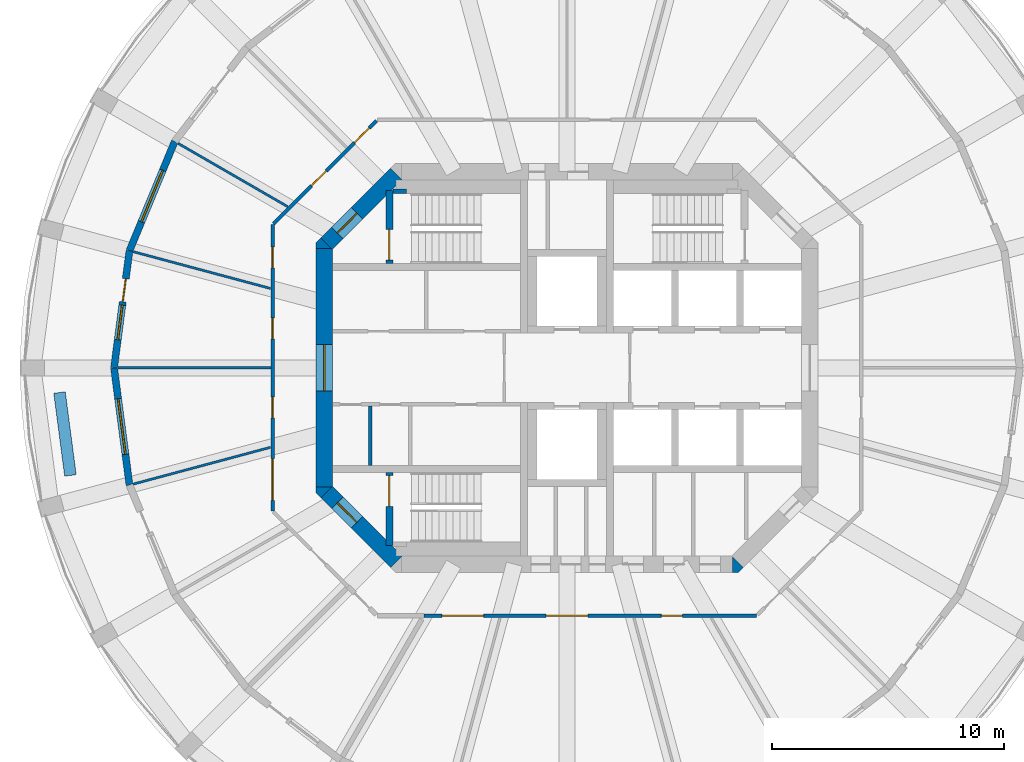
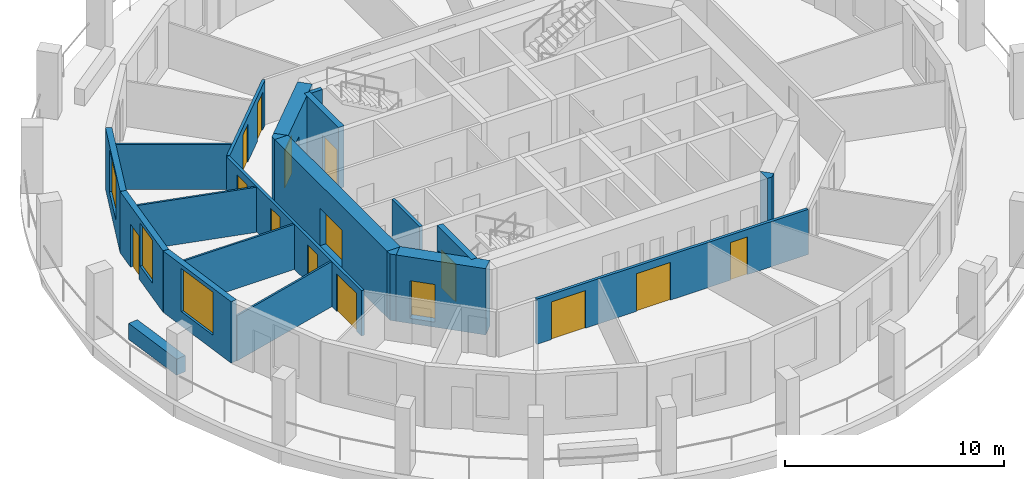
# One storey, part 3 of 9: 21 walls, 15 doors, 3 windows, 18 openings.
"""IFC4 building model written with IfcOpenShell, lengths in metres."""

from ifc_helpers import new_model, si_unit, direction, frame, frame_2d, origin, place, context, subcontext, project, spatial, polyline, rectangle, outline, extrude, material, layer, layer_set, type_object, element, fill, save


model = new_model("IFC4")

# Units and contexts
model_context = context("Model", 3, precision=1e-05, world=origin(), true_north=direction((0.0, 1.0)))
body_context = subcontext(model_context, "Body", "Model", "MODEL_VIEW")
ifc_project = project(units=[si_unit("LENGTHUNIT", "METRE"), si_unit("AREAUNIT", "SQUARE_METRE"), si_unit("VOLUMEUNIT", "CUBIC_METRE"), si_unit("PLANEANGLEUNIT", "RADIAN"), si_unit("MASSUNIT", "GRAM", prefix="KILO")], contexts=[model_context])

# Site, building, storey
site_placement = place(None, origin())
site = spatial("IfcSite", under=ifc_project, at=site_placement, CompositionType="ELEMENT")
building_placement = place(site_placement, origin())
building = spatial("IfcBuilding", under=site, at=building_placement, Name="Torre Triforio", CompositionType="ELEMENT")
storey_placement = place(building_placement, frame((0.0, 0.0, 215.0)))
storey = spatial("IfcBuildingStorey", under=building, at=storey_placement, Name="L49", CompositionType="ELEMENT", Elevation=215.0)

# Wall, opening, door
ifc_material_1 = material(Name="Concrete C50", Category="concrete")
ifc_layer_1 = layer(ifc_material_1, 0.699951171875)
ifc_layer_set_1 = layer_set([ifc_layer_1], Name="Concrete C50")
wall_type_1 = type_object("IfcWallType", Name="Core wall 700 mm C50 EI 120", PredefinedType="SHEAR", material=ifc_layer_set_1)
wall_1_placement = place(storey_placement, frame((-10.449951171875, -5.1298828125, -0.280029296875), z_axis=(0.0, 0.0, 1.0), x_axis=(0.0, 1.0, 0.0)))
wall_1 = element("IfcWall", 1, at=wall_1_placement, inside=storey, type_object=wall_type_1, Name="Core wall", PredefinedType="SHEAR", context=body_context, shape_type="SweptSolid", body=[
    extrude(rectangle(XDim=10.259765625, YDim=0.699951171875, at=frame_2d((5.1298828125, 0.0))), origin(), (0.0, 0.0, 1.0), 3.699951171875),
])
opening_1_placement = place(wall_1_placement, frame((4.1298828125, 0.0, 0.280029296875)))
opening_1 = element("IfcOpeningElement", 2, at=opening_1_placement, cuts=wall_1, Name="Opening W-RING", PredefinedType="OPENING", context=body_context, shape_type="SweptSolid", body=[
    extrude(rectangle(XDim=2.0, YDim=2.10009765625, at=frame_2d((1.0, 1.050048828125))), frame((0.0, 0.35986328125, 0.0), z_axis=(0.0, -1.0, 0.0), x_axis=(1.0, 0.0, 0.0)), (0.0, 0.0, 1.0), 0.719970703125),
])
ifc_material_2 = material(Name="Hollow metal fire door leaf")
door_type_1 = type_object("IfcDoorType", Name="Lobby door 2000 x 2100 EI 60", OperationType="DOUBLE_DOOR_SINGLE_SWING", PredefinedType="DOOR", material=ifc_material_2)
door_1_placement = place(opening_1_placement, origin())
door_1 = element("IfcDoor", 3, at=door_1_placement, inside=storey, type_object=door_type_1, Name="Core door W-RING", OperationType="DOUBLE_DOOR_SINGLE_SWING", OverallHeight=2.10009765625, OverallWidth=2.0, PredefinedType="DOOR", context=body_context, shape_type="SweptSolid", body=[
    extrude(rectangle(XDim=2.0, YDim=2.10009765625, at=frame_2d((1.0, 1.050048828125))), frame((0.0, 0.02490234375, 0.0), z_axis=(0.0, -1.0, 0.0), x_axis=(1.0, 0.0, 0.0)), (0.0, 0.0, 1.0), 0.050048828125),
])
fill(opening_1, door_1)

wall_2_placement = place(storey_placement, frame((-10.347412109375, 5.347412109375, -0.280029296875), z_axis=(0.0, 0.0, 1.0), x_axis=(0.707106781187, 0.707106781187, 0.0)))
wall_2 = element("IfcWall", 4, at=wall_2_placement, inside=storey, type_object=wall_type_1, Name="Core wall", PredefinedType="SHEAR", context=body_context, shape_type="SweptSolid", body=[
    extrude(rectangle(XDim=4.24267578125, YDim=0.699951171875, at=frame_2d((2.121337890625, 0.0))), origin(), (0.0, 0.0, 1.0), 3.699951171875),
])
opening_2_placement = place(wall_2_placement, frame((0.64990234375, 0.0, 0.280029296875)))
opening_2 = element("IfcOpeningElement", 5, at=opening_2_placement, cuts=wall_2, Name="Opening ST1-EXIT", PredefinedType="OPENING", context=body_context, shape_type="SweptSolid", body=[
    extrude(rectangle(XDim=1.199951171875, YDim=2.10009765625, at=frame_2d((0.60009765625, 1.050048828125))), frame((0.0, 0.35986328125, 0.0), z_axis=(0.0, -1.0, 0.0), x_axis=(1.0, 0.0, 0.0)), (0.0, 0.0, 1.0), 0.719970703125),
])
door_type_2 = type_object("IfcDoorType", Name="Stair lobby door 1200 x 2100 EI 60", OperationType="NOTDEFINED", PredefinedType="DOOR", material=ifc_material_2)
door_2_placement = place(opening_2_placement, origin())
door_2 = element("IfcDoor", 6, at=door_2_placement, inside=storey, type_object=door_type_2, Name="Core door ST1-EXIT", OperationType="SINGLE_SWING_RIGHT", OverallHeight=2.10009765625, OverallWidth=1.199951171875, PredefinedType="DOOR", context=body_context, shape_type="SweptSolid", body=[
    extrude(rectangle(XDim=1.199951171875, YDim=2.10009765625, at=frame_2d((0.60009765625, 1.050048828125))), frame((0.0, 0.02490234375, 0.0), z_axis=(0.0, -1.0, 0.0), x_axis=(1.0, 0.0, 0.0)), (0.0, 0.0, 1.0), 0.050048828125),
])
fill(opening_2, door_2)

wall_3_placement = place(storey_placement, frame((-7.347412109375, -8.347412109375, -0.280029296875), z_axis=(0.0, 0.0, 1.0), x_axis=(-0.707106781187, 0.707106781187, 0.0)))
wall_3 = element("IfcWall", 7, at=wall_3_placement, inside=storey, type_object=wall_type_1, Name="Core wall", PredefinedType="SHEAR", context=body_context, shape_type="SweptSolid", body=[
    extrude(rectangle(XDim=4.24267578125, YDim=0.699951171875, at=frame_2d((2.121337890625, 0.0))), origin(), (0.0, 0.0, 1.0), 3.699951171875),
])
opening_3_placement = place(wall_3_placement, frame((2.392578125, 0.0, 0.280029296875)))
opening_3 = element("IfcOpeningElement", 8, at=opening_3_placement, cuts=wall_3, Name="Opening ST3-EXIT", PredefinedType="OPENING", context=body_context, shape_type="SweptSolid", body=[
    extrude(rectangle(XDim=1.199951171875, YDim=2.10009765625, at=frame_2d((0.60009765625, 1.050048828125))), frame((0.0, 0.35986328125, 0.0), z_axis=(0.0, -1.0, 0.0), x_axis=(1.0, 0.0, 0.0)), (0.0, 0.0, 1.0), 0.719970703125),
])
door_3_placement = place(opening_3_placement, origin())
door_3 = element("IfcDoor", 9, at=door_3_placement, inside=storey, type_object=door_type_2, Name="Core door ST3-EXIT", OperationType="SINGLE_SWING_RIGHT", OverallHeight=2.10009765625, OverallWidth=1.199951171875, PredefinedType="DOOR", context=body_context, shape_type="SweptSolid", body=[
    extrude(rectangle(XDim=1.199951171875, YDim=2.10009765625, at=frame_2d((0.60009765625, 1.050048828125))), frame((0.0, 0.02490234375, 0.0), z_axis=(0.0, -1.0, 0.0), x_axis=(1.0, 0.0, 0.0)), (0.0, 0.0, 1.0), 0.050048828125),
])
fill(opening_3, door_3)

# Walls
wall_4_placement = place(storey_placement, frame((0.0, 0.0, -0.280029296875)))
element("IfcWall", 10, at=wall_4_placement, inside=storey, type_object=wall_type_1, Name="Core wall", PredefinedType="SHEAR", context=body_context, shape_type="SweptSolid", body=[
    extrude(outline(polyline([(7.389892578125, -8.800048828125), (7.1298828125, -8.800048828125), (7.1298828125, -8.800048828125), (7.1298828125, -8.1298828125), (7.594970703125, -8.594970703125), (7.594970703125, -8.594970703125), (7.594970703125, -8.594970703125), (7.389892578125, -8.800048828125)])), origin(), (0.0, 0.0, 1.0), 3.699951171875),
])
wall_5_placement = place(storey_placement, frame((0.0, 0.0, -0.280029296875)))
element("IfcWall", 11, at=wall_5_placement, inside=storey, type_object=wall_type_1, Name="Core wall", PredefinedType="SHEAR", context=body_context, shape_type="SweptSolid", body=[
    extrude(outline(polyline([(-10.800048828125, -5.389892578125), (-10.800048828125, -5.1298828125), (-10.800048828125, -5.1298828125), (-10.1298828125, -5.1298828125), (-10.594970703125, -5.594970703125), (-10.594970703125, -5.594970703125), (-10.594970703125, -5.594970703125), (-10.800048828125, -5.389892578125)])), origin(), (0.0, 0.0, 1.0), 3.699951171875),
])
wall_6_placement = place(storey_placement, frame((0.0, 0.0, -0.280029296875)))
element("IfcWall", 12, at=wall_6_placement, inside=storey, type_object=wall_type_1, Name="Core wall", PredefinedType="SHEAR", context=body_context, shape_type="SweptSolid", body=[
    extrude(outline(polyline([(-10.594970703125, 5.594970703125), (-10.594970703125, 5.594970703125), (-10.594970703125, 5.594970703125), (-10.1298828125, 5.1298828125), (-10.800048828125, 5.1298828125), (-10.800048828125, 5.1298828125), (-10.800048828125, 5.389892578125), (-10.594970703125, 5.594970703125)])), origin(), (0.0, 0.0, 1.0), 3.699951171875),
])

# Wall, openings, doors
ifc_material_3 = material(Name="Plasterboard on metal studs")
ifc_layer_2 = layer(ifc_material_3, 0.14990234375)
ifc_layer_set_2 = layer_set([ifc_layer_2], Name="Plasterboard on metal studs")
wall_type_2 = type_object("IfcWallType", Name="Corridor and tenancy wall 150 mm EI 60", PredefinedType="PARTITIONING", material=ifc_layer_set_2)
wall_7_placement = place(storey_placement, frame((8.16650390625, -10.675048828125, 0.0), z_axis=(0.0, 0.0, 1.0), x_axis=(-1.0, 0.0, 0.0)))
wall_7 = element("IfcWall", 13, at=wall_7_placement, inside=storey, type_object=wall_type_2, Name="Partition 2", PredefinedType="PARTITIONING", context=body_context, shape_type="SweptSolid", body=[
    extrude(rectangle(XDim=14.32958984375, YDim=0.14990234375, at=frame_2d((7.164794921875, 0.0))), origin(), (0.0, 0.0, 1.0), 2.52001953125),
])
opening_4_placement = place(wall_7_placement, frame((7.2666015625, 0.0, 0.0)))
opening_4 = element("IfcOpeningElement", 14, at=opening_4_placement, cuts=wall_7, Name="Opening O6-01", PredefinedType="OPENING", context=body_context, shape_type="SweptSolid", body=[
    extrude(rectangle(XDim=1.800048828125, YDim=2.10009765625, at=frame_2d((0.89990234375, 1.050048828125))), frame((0.0, 0.0849609375, 0.0), z_axis=(0.0, -1.0, 0.0), x_axis=(1.0, 0.0, 0.0)), (0.0, 0.0, 1.0), 0.169921875),
])
opening_5_placement = place(wall_7_placement, frame((3.200927734375, 0.0, 0.0)))
opening_5 = element("IfcOpeningElement", 15, at=opening_5_placement, cuts=wall_7, Name="Opening O6-02", PredefinedType="OPENING", context=body_context, shape_type="SweptSolid", body=[
    extrude(rectangle(XDim=0.89990234375, YDim=2.10009765625, at=frame_2d((0.449951171875, 1.050048828125))), frame((0.0, 0.0849609375, 0.0), z_axis=(0.0, -1.0, 0.0), x_axis=(1.0, 0.0, 0.0)), (0.0, 0.0, 1.0), 0.169921875),
])
opening_6_placement = place(wall_7_placement, frame((11.75341796875, 0.0, 0.0)))
opening_6 = element("IfcOpeningElement", 16, at=opening_6_placement, cuts=wall_7, Name="Opening O6-17", PredefinedType="OPENING", context=body_context, shape_type="SweptSolid", body=[
    extrude(rectangle(XDim=1.800048828125, YDim=2.10009765625, at=frame_2d((0.89990234375, 1.050048828125))), frame((0.0, 0.0849609375, 0.0), z_axis=(0.0, -1.0, 0.0), x_axis=(1.0, 0.0, 0.0)), (0.0, 0.0, 1.0), 0.169921875),
])
ifc_material_4 = material(Name="Timber", Category="wood")
door_type_3 = type_object("IfcDoorType", Name="Door 1800 x 2100 double leaf EI 30", OperationType="DOUBLE_DOOR_SINGLE_SWING", PredefinedType="DOOR", material=ifc_material_4)
door_4_placement = place(opening_4_placement, origin())
door_4 = element("IfcDoor", 17, at=door_4_placement, inside=storey, type_object=door_type_3, Name="Door O6-01", OperationType="DOUBLE_DOOR_SINGLE_SWING", OverallHeight=2.10009765625, OverallWidth=1.800048828125, PredefinedType="DOOR", context=body_context, shape_type="SweptSolid", body=[
    extrude(rectangle(XDim=1.800048828125, YDim=2.10009765625, at=frame_2d((0.89990234375, 1.050048828125))), frame((0.0, 0.02490234375, 0.0), z_axis=(0.0, -1.0, 0.0), x_axis=(1.0, 0.0, 0.0)), (0.0, 0.0, 1.0), 0.050048828125),
])
fill(opening_4, door_4)
door_5_placement = place(opening_6_placement, origin())
door_5 = element("IfcDoor", 18, at=door_5_placement, inside=storey, type_object=door_type_3, Name="Door O6-17", OperationType="DOUBLE_DOOR_SINGLE_SWING", OverallHeight=2.10009765625, OverallWidth=1.800048828125, PredefinedType="DOOR", context=body_context, shape_type="SweptSolid", body=[
    extrude(rectangle(XDim=1.800048828125, YDim=2.10009765625, at=frame_2d((0.89990234375, 1.050048828125))), frame((0.0, 0.02490234375, 0.0), z_axis=(0.0, -1.0, 0.0), x_axis=(1.0, 0.0, 0.0)), (0.0, 0.0, 1.0), 0.050048828125),
])
fill(opening_6, door_5)
door_type_4 = type_object("IfcDoorType", Name="Door 900 x 2100 single leaf EI 30", OperationType="NOTDEFINED", PredefinedType="DOOR", material=ifc_material_4)
door_6_placement = place(opening_5_placement, origin())
door_6 = element("IfcDoor", 19, at=door_6_placement, inside=storey, type_object=door_type_4, Name="Door O6-02", OperationType="SINGLE_SWING_LEFT", OverallHeight=2.10009765625, OverallWidth=0.89990234375, PredefinedType="DOOR", context=body_context, shape_type="SweptSolid", body=[
    extrude(rectangle(XDim=0.89990234375, YDim=2.10009765625, at=frame_2d((0.449951171875, 1.050048828125))), frame((0.0, 0.02490234375, 0.0), z_axis=(0.0, -1.0, 0.0), x_axis=(1.0, 0.0, 0.0)), (0.0, 0.0, 1.0), 0.050048828125),
])
fill(opening_5, door_6)

wall_8_placement = place(storey_placement, frame((-12.675048828125, -6.16650390625, 0.0), z_axis=(0.0, 0.0, 1.0), x_axis=(0.0, 1.0, 0.0)))
wall_8 = element("IfcWall", 20, at=wall_8_placement, inside=storey, type_object=wall_type_2, Name="Partition 6", PredefinedType="PARTITIONING", context=body_context, shape_type="SweptSolid", body=[
    extrude(rectangle(XDim=12.3330078125, YDim=0.14990234375, at=frame_2d((6.16650390625, 0.0))), origin(), (0.0, 0.0, 1.0), 2.52001953125),
])
opening_7_placement = place(wall_8_placement, frame((10.47314453125, 0.0, 0.0)))
opening_7 = element("IfcOpeningElement", 21, at=opening_7_placement, cuts=wall_8, Name="Opening O6-11", PredefinedType="OPENING", context=body_context, shape_type="SweptSolid", body=[
    extrude(rectangle(XDim=0.89990234375, YDim=2.10009765625, at=frame_2d((0.449951171875, 1.050048828125))), frame((0.0, 0.0849609375, 0.0), z_axis=(0.0, -1.0, 0.0), x_axis=(1.0, 0.0, 0.0)), (0.0, 0.0, 1.0), 0.169921875),
])
opening_8_placement = place(wall_8_placement, frame((7.41552734375, 0.0, 0.0)))
opening_8 = element("IfcOpeningElement", 22, at=opening_8_placement, cuts=wall_8, Name="Opening O6-12", PredefinedType="OPENING", context=body_context, shape_type="SweptSolid", body=[
    extrude(rectangle(XDim=0.89990234375, YDim=2.10009765625, at=frame_2d((0.449951171875, 1.050048828125))), frame((0.0, 0.0849609375, 0.0), z_axis=(0.0, -1.0, 0.0), x_axis=(1.0, 0.0, 0.0)), (0.0, 0.0, 1.0), 0.169921875),
])
opening_9_placement = place(wall_8_placement, frame((4.017578125, 0.0, 0.0)))
opening_9 = element("IfcOpeningElement", 23, at=opening_9_placement, cuts=wall_8, Name="Opening O6-13", PredefinedType="OPENING", context=body_context, shape_type="SweptSolid", body=[
    extrude(rectangle(XDim=0.89990234375, YDim=2.10009765625, at=frame_2d((0.449951171875, 1.050048828125))), frame((0.0, 0.0849609375, 0.0), z_axis=(0.0, -1.0, 0.0), x_axis=(1.0, 0.0, 0.0)), (0.0, 0.0, 1.0), 0.169921875),
])
opening_10_placement = place(wall_8_placement, frame((0.460205078125, 0.0, 0.0)))
opening_10 = element("IfcOpeningElement", 24, at=opening_10_placement, cuts=wall_8, Name="Opening O6-14", PredefinedType="OPENING", context=body_context, shape_type="SweptSolid", body=[
    extrude(rectangle(XDim=1.800048828125, YDim=2.10009765625, at=frame_2d((0.89990234375, 1.050048828125))), frame((0.0, 0.0849609375, 0.0), z_axis=(0.0, -1.0, 0.0), x_axis=(1.0, 0.0, 0.0)), (0.0, 0.0, 1.0), 0.169921875),
])
door_7_placement = place(opening_10_placement, origin())
door_7 = element("IfcDoor", 25, at=door_7_placement, inside=storey, type_object=door_type_3, Name="Door O6-14", OperationType="DOUBLE_DOOR_SINGLE_SWING", OverallHeight=2.10009765625, OverallWidth=1.800048828125, PredefinedType="DOOR", context=body_context, shape_type="SweptSolid", body=[
    extrude(rectangle(XDim=1.800048828125, YDim=2.10009765625, at=frame_2d((0.89990234375, 1.050048828125))), frame((0.0, 0.02490234375, 0.0), z_axis=(0.0, -1.0, 0.0), x_axis=(1.0, 0.0, 0.0)), (0.0, 0.0, 1.0), 0.050048828125),
])
fill(opening_10, door_7)
door_8_placement = place(opening_7_placement, origin())
door_8 = element("IfcDoor", 26, at=door_8_placement, inside=storey, type_object=door_type_4, Name="Door O6-11", OperationType="SINGLE_SWING_LEFT", OverallHeight=2.10009765625, OverallWidth=0.89990234375, PredefinedType="DOOR", context=body_context, shape_type="SweptSolid", body=[
    extrude(rectangle(XDim=0.89990234375, YDim=2.10009765625, at=frame_2d((0.449951171875, 1.050048828125))), frame((0.0, 0.02490234375, 0.0), z_axis=(0.0, -1.0, 0.0), x_axis=(1.0, 0.0, 0.0)), (0.0, 0.0, 1.0), 0.050048828125),
])
fill(opening_7, door_8)
door_9_placement = place(opening_8_placement, origin())
door_9 = element("IfcDoor", 27, at=door_9_placement, inside=storey, type_object=door_type_4, Name="Door O6-12", OperationType="SINGLE_SWING_LEFT", OverallHeight=2.10009765625, OverallWidth=0.89990234375, PredefinedType="DOOR", context=body_context, shape_type="SweptSolid", body=[
    extrude(rectangle(XDim=0.89990234375, YDim=2.10009765625, at=frame_2d((0.449951171875, 1.050048828125))), frame((0.0, 0.02490234375, 0.0), z_axis=(0.0, -1.0, 0.0), x_axis=(1.0, 0.0, 0.0)), (0.0, 0.0, 1.0), 0.050048828125),
])
fill(opening_8, door_9)
door_10_placement = place(opening_9_placement, origin())
door_10 = element("IfcDoor", 28, at=door_10_placement, inside=storey, type_object=door_type_4, Name="Door O6-13", OperationType="SINGLE_SWING_LEFT", OverallHeight=2.10009765625, OverallWidth=0.89990234375, PredefinedType="DOOR", context=body_context, shape_type="SweptSolid", body=[
    extrude(rectangle(XDim=0.89990234375, YDim=2.10009765625, at=frame_2d((0.449951171875, 1.050048828125))), frame((0.0, 0.02490234375, 0.0), z_axis=(0.0, -1.0, 0.0), x_axis=(1.0, 0.0, 0.0)), (0.0, 0.0, 1.0), 0.050048828125),
])
fill(opening_9, door_10)

wall_9_placement = place(storey_placement, frame((-12.637939453125, 6.20361328125, 0.0), z_axis=(0.0, 0.0, 1.0), x_axis=(0.707106781187, 0.707106781187, 0.0)))
wall_9 = element("IfcWall", 29, at=wall_9_placement, inside=storey, type_object=wall_type_2, Name="Partition 7", PredefinedType="PARTITIONING", context=body_context, shape_type="SweptSolid", body=[
    extrude(rectangle(XDim=6.27099609375, YDim=0.14990234375, at=frame_2d((3.135498046875, 0.0))), origin(), (0.0, 0.0, 1.0), 2.52001953125),
])
opening_11_placement = place(wall_9_placement, frame((4.935302734375, 0.0, 0.0)))
opening_11 = element("IfcOpeningElement", 30, at=opening_11_placement, cuts=wall_9, Name="Opening O6-09", PredefinedType="OPENING", context=body_context, shape_type="SweptSolid", body=[
    extrude(rectangle(XDim=0.89990234375, YDim=2.10009765625, at=frame_2d((0.449951171875, 1.050048828125))), frame((0.0, 0.0849609375, 0.0), z_axis=(0.0, -1.0, 0.0), x_axis=(1.0, 0.0, 0.0)), (0.0, 0.0, 1.0), 0.169921875),
])
opening_12_placement = place(wall_9_placement, frame((2.313720703125, 0.0, 0.0)))
opening_12 = element("IfcOpeningElement", 31, at=opening_12_placement, cuts=wall_9, Name="Opening O6-10", PredefinedType="OPENING", context=body_context, shape_type="SweptSolid", body=[
    extrude(rectangle(XDim=0.89990234375, YDim=2.10009765625, at=frame_2d((0.449951171875, 1.050048828125))), frame((0.0, 0.0849609375, 0.0), z_axis=(0.0, -1.0, 0.0), x_axis=(1.0, 0.0, 0.0)), (0.0, 0.0, 1.0), 0.169921875),
])
door_11_placement = place(opening_11_placement, origin())
door_11 = element("IfcDoor", 32, at=door_11_placement, inside=storey, type_object=door_type_4, Name="Door O6-09", OperationType="SINGLE_SWING_LEFT", OverallHeight=2.10009765625, OverallWidth=0.89990234375, PredefinedType="DOOR", context=body_context, shape_type="SweptSolid", body=[
    extrude(rectangle(XDim=0.89990234375, YDim=2.10009765625, at=frame_2d((0.449951171875, 1.050048828125))), frame((0.0, 0.02490234375, 0.0), z_axis=(0.0, -1.0, 0.0), x_axis=(1.0, 0.0, 0.0)), (0.0, 0.0, 1.0), 0.050048828125),
])
fill(opening_11, door_11)
door_12_placement = place(opening_12_placement, origin())
door_12 = element("IfcDoor", 33, at=door_12_placement, inside=storey, type_object=door_type_4, Name="Door O6-10", OperationType="SINGLE_SWING_RIGHT", OverallHeight=2.10009765625, OverallWidth=0.89990234375, PredefinedType="DOOR", context=body_context, shape_type="SweptSolid", body=[
    extrude(rectangle(XDim=0.89990234375, YDim=2.10009765625, at=frame_2d((0.449951171875, 1.050048828125))), frame((0.0, 0.02490234375, 0.0), z_axis=(0.0, -1.0, 0.0), x_axis=(1.0, 0.0, 0.0)), (0.0, 0.0, 1.0), 0.050048828125),
])
fill(opening_12, door_12)

# Walls
ifc_layer_3 = layer(ifc_material_3, 0.10009765625)
ifc_layer_set_3 = layer_set([ifc_layer_3], Name="Plasterboard on metal studs")
wall_type_3 = type_object("IfcWallType", Name="Partition 100 mm board on metal studs", PredefinedType="PARTITIONING", material=ifc_layer_set_3)
wall_10_placement = place(storey_placement, frame((-12.025146484375, 6.94287109375, 0.0), z_axis=(0.0, 0.0, 1.0), x_axis=(-0.866029712004, 0.499992537871, 0.0)))
element("IfcWall", 34, at=wall_10_placement, inside=storey, type_object=wall_type_3, Name="Partition 16", PredefinedType="PARTITIONING", context=body_context, shape_type="SweptSolid", body=[
    extrude(rectangle(XDim=5.451171875, YDim=0.10009765625, at=frame_2d((2.7255859375, 0.0))), origin(), (0.0, 0.0, 1.0), 2.52001953125),
])
wall_11_placement = place(storey_placement, frame((-12.764404296875, 3.420166015625, 0.0), z_axis=(0.0, 0.0, 1.0), x_axis=(-0.965925800266, 0.258819142221, 0.0)))
element("IfcWall", 35, at=wall_11_placement, inside=storey, type_object=wall_type_3, Name="Partition 17", PredefinedType="PARTITIONING", context=body_context, shape_type="SweptSolid", body=[
    extrude(rectangle(XDim=6.121826171875, YDim=0.10009765625, at=frame_2d((3.06103515625, 0.0))), origin(), (0.0, 0.0, 1.0), 2.52001953125),
])
wall_12_placement = place(storey_placement, frame((-12.75, 0.0, 0.0), z_axis=(0.0, 0.0, 1.0), x_axis=(-1.0, 0.0, 0.0)))
element("IfcWall", 36, at=wall_12_placement, inside=storey, type_object=wall_type_3, Name="Partition 18", PredefinedType="PARTITIONING", context=body_context, shape_type="SweptSolid", body=[
    extrude(rectangle(XDim=6.586669921875, YDim=0.10009765625, at=frame_2d((3.29345703125, 0.0))), origin(), (0.0, 0.0, 1.0), 2.52001953125),
])
wall_13_placement = place(storey_placement, frame((-12.764404296875, -3.420166015625, 0.0), z_axis=(0.0, 0.0, 1.0), x_axis=(-0.965925800266, -0.258819142221, 0.0)))
element("IfcWall", 37, at=wall_13_placement, inside=storey, type_object=wall_type_3, Name="Partition 19", PredefinedType="PARTITIONING", context=body_context, shape_type="SweptSolid", body=[
    extrude(rectangle(XDim=6.121826171875, YDim=0.10009765625, at=frame_2d((3.06103515625, 0.0))), origin(), (0.0, 0.0, 1.0), 2.52001953125),
])
ifc_material_5 = material(Name="Block and board partition")
ifc_layer_4 = layer(ifc_material_5, 0.14990234375)
ifc_layer_set_4 = layer_set([ifc_layer_4], Name="Block and board partition")
wall_type_4 = type_object("IfcWallType", Name="Partition 150 mm", PredefinedType="PARTITIONING", material=ifc_layer_set_4)
wall_14_placement = place(storey_placement, frame((-8.465087890625, -4.199951171875, 0.0), z_axis=(0.0, 0.0, 1.0), x_axis=(0.0, 1.0, 0.0)))
element("IfcWall", 38, at=wall_14_placement, inside=storey, type_object=wall_type_4, Name="Partition", PredefinedType="PARTITIONING", context=body_context, shape_type="SweptSolid", body=[
    extrude(rectangle(XDim=2.550048828125, YDim=0.14990234375, at=frame_2d((1.27490234375, 0.0))), origin(), (0.0, 0.0, 1.0), 3.419921875),
])
ifc_material_6 = material(Name="Limestone cladding", Category="masonry")
ifc_layer_5 = layer(ifc_material_6, 0.10009765625)
ifc_material_7 = material(Name="Concrete C40", Category="concrete")
ifc_layer_6 = layer(ifc_material_7, 0.39990234375)
ifc_layer_set_5 = layer_set([ifc_layer_5, ifc_layer_6], Name="Limestone cladding / Concrete C40")
wall_type_5 = type_object("IfcWallType", Name="Planter wall 500", PredefinedType="PARAPET", material=ifc_layer_set_5)
wall_15_placement = place(storey_placement, frame((-21.848388671875, -1.060791015625, 0.0), z_axis=(0.0, 0.0, 1.0), x_axis=(0.130475563272, -0.991451525486, 0.0)))
element("IfcWall", 39, at=wall_15_placement, inside=storey, type_object=wall_type_5, Name="Planter L49 bay 13", PredefinedType="PARAPET", context=body_context, shape_type="SweptSolid", body=[
    extrude(rectangle(XDim=3.60009765625, YDim=0.5, at=frame_2d((1.800048828125, 0.0))), origin(), (0.0, 0.0, 1.0), 0.89990234375),
])
ifc_layer_7 = layer(ifc_material_1, 0.199951171875)
ifc_layer_set_6 = layer_set([ifc_layer_7], Name="Concrete C50")
wall_type_6 = type_object("IfcWallType", Name="Stair wall 200 mm C50 EI 120", PredefinedType="SHEAR", material=ifc_layer_set_6)
wall_16_placement = place(storey_placement, frame((-7.5, 7.60009765625, 0.0), z_axis=(0.0, 0.0, 1.0), x_axis=(1.0, 0.0, 0.0)))
element("IfcWall", 40, at=wall_16_placement, inside=storey, type_object=wall_type_6, Name="Stair wall", PredefinedType="SHEAR", context=body_context, shape_type="SweptSolid", body=[
    extrude(rectangle(XDim=0.60009765625, YDim=0.199951171875, at=frame_2d((0.300048828125, 0.0))), origin(), (0.0, 0.0, 1.0), 3.419921875),
])

# Wall, opening, door
ifc_layer_8 = layer(ifc_material_1, 0.300048828125)
ifc_layer_set_7 = layer_set([ifc_layer_8], Name="Concrete C50")
wall_type_7 = type_object("IfcWallType", Name="Stair wall 300 mm C50 EI 120", PredefinedType="SHEAR", material=ifc_layer_set_7)
wall_17_placement = place(storey_placement, frame((-7.64990234375, 4.5, 0.0), z_axis=(0.0, 0.0, 1.0), x_axis=(0.0, 1.0, 0.0)))
wall_17 = element("IfcWall", 41, at=wall_17_placement, inside=storey, type_object=wall_type_7, Name="Stair wall", PredefinedType="SHEAR", context=body_context, shape_type="SweptSolid", body=[
    extrude(rectangle(XDim=3.139892578125, YDim=0.300048828125, at=frame_2d((1.56982421875, 0.0))), origin(), (0.0, 0.0, 1.0), 3.419921875),
])
opening_13_placement = place(wall_17_placement, frame((0.139892578125, 0.0, 0.0)))
opening_13 = element("IfcOpeningElement", 42, at=opening_13_placement, cuts=wall_17, Name="Opening ST1-STA", PredefinedType="OPENING", context=body_context, shape_type="SweptSolid", body=[
    extrude(rectangle(XDim=1.320068359375, YDim=2.10009765625, at=frame_2d((0.66015625, 1.050048828125))), frame((0.0, 0.159912109375, 0.0), z_axis=(0.0, -1.0, 0.0), x_axis=(1.0, 0.0, 0.0)), (0.0, 0.0, 1.0), 0.320068359375),
])
door_type_5 = type_object("IfcDoorType", Name="Stair door 1320 x 2100 EI 90", OperationType="DOUBLE_DOOR_SINGLE_SWING", PredefinedType="DOOR", material=ifc_material_2)
door_13_placement = place(opening_13_placement, origin())
door_13 = element("IfcDoor", 43, at=door_13_placement, inside=storey, type_object=door_type_5, Name="Core door ST1-ST", OperationType="DOUBLE_DOOR_SINGLE_SWING", OverallHeight=2.10009765625, OverallWidth=1.320068359375, PredefinedType="DOOR", context=body_context, shape_type="SweptSolid", body=[
    extrude(rectangle(XDim=1.320068359375, YDim=2.10009765625, at=frame_2d((0.66015625, 1.050048828125))), frame((0.0, 0.02490234375, 0.0), z_axis=(0.0, -1.0, 0.0), x_axis=(1.0, 0.0, 0.0)), (0.0, 0.0, 1.0), 0.050048828125),
])
fill(opening_13, door_13)

wall_18_placement = place(storey_placement, frame((-7.64990234375, -7.639892578125, 0.0), z_axis=(0.0, 0.0, 1.0), x_axis=(0.0, 1.0, 0.0)))
wall_18 = element("IfcWall", 44, at=wall_18_placement, inside=storey, type_object=wall_type_7, Name="Stair wall", PredefinedType="SHEAR", context=body_context, shape_type="SweptSolid", body=[
    extrude(rectangle(XDim=3.139892578125, YDim=0.300048828125, at=frame_2d((1.56982421875, 0.0))), origin(), (0.0, 0.0, 1.0), 3.419921875),
])
opening_14_placement = place(wall_18_placement, frame((1.679931640625, 0.0, 0.0)))
opening_14 = element("IfcOpeningElement", 45, at=opening_14_placement, cuts=wall_18, Name="Opening ST3-STA", PredefinedType="OPENING", context=body_context, shape_type="SweptSolid", body=[
    extrude(rectangle(XDim=1.320068359375, YDim=2.10009765625, at=frame_2d((0.66015625, 1.050048828125))), frame((0.0, 0.159912109375, 0.0), z_axis=(0.0, -1.0, 0.0), x_axis=(1.0, 0.0, 0.0)), (0.0, 0.0, 1.0), 0.320068359375),
])
door_14_placement = place(opening_14_placement, origin())
door_14 = element("IfcDoor", 46, at=door_14_placement, inside=storey, type_object=door_type_5, Name="Core door ST3-ST", OperationType="DOUBLE_DOOR_SINGLE_SWING", OverallHeight=2.10009765625, OverallWidth=1.320068359375, PredefinedType="DOOR", context=body_context, shape_type="SweptSolid", body=[
    extrude(rectangle(XDim=1.320068359375, YDim=2.10009765625, at=frame_2d((0.66015625, 1.050048828125))), frame((0.0, 0.02490234375, 0.0), z_axis=(0.0, -1.0, 0.0), x_axis=(1.0, 0.0, 0.0)), (0.0, 0.0, 1.0), 0.050048828125),
])
fill(opening_14, door_14)

# Wall, opening, window
ifc_layer_9 = layer(ifc_material_6, 0.10009765625)
ifc_layer_10 = layer(ifc_material_7, 0.199951171875)
ifc_layer_set_8 = layer_set([ifc_layer_9, ifc_layer_10], Name="Limestone cladding / Concrete C40")
wall_type_8 = type_object("IfcWallType", Name="Stone-faced composite wall 300", PredefinedType="STANDARD", material=ifc_layer_set_8)
wall_19_placement = place(storey_placement, frame((-16.887451171875, 9.75, 0.0), z_axis=(0.0, 0.0, 1.0), x_axis=(-0.382724538613, -0.923862504675, 0.0)))
wall_19 = element("IfcWall", 47, at=wall_19_placement, inside=storey, type_object=wall_type_8, Name="External wall L49 bay 11", PredefinedType="STANDARD", context=body_context, shape_type="SweptSolid", body=[
    extrude(rectangle(XDim=5.090576171875, YDim=0.300048828125, at=frame_2d((2.54541015625, 0.0))), origin(), (0.0, 0.0, 1.0), 3.419921875),
])
opening_15_placement = place(wall_19_placement, frame((1.34521484375, 0.0, 0.800048828125)))
opening_15 = element("IfcOpeningElement", 48, at=opening_15_placement, cuts=wall_19, Name="Opening O6-W11", PredefinedType="OPENING", context=body_context, shape_type="SweptSolid", body=[
    extrude(rectangle(XDim=2.39990234375, YDim=2.39990234375, at=frame_2d((1.199951171875, 1.199951171875))), frame((0.0, 0.159912109375, 0.0), z_axis=(0.0, -1.0, 0.0), x_axis=(1.0, 0.0, 0.0)), (0.0, 0.0, 1.0), 0.320068359375),
])
ifc_material_8 = material(Name="Aluminium frame with clear double glazing", Category="aluminium")
window_type_1 = type_object("IfcWindowType", Name="Punched window 2400 x 2400", PartitioningType="DOUBLE_PANEL_VERTICAL", PredefinedType="WINDOW", material=ifc_material_8)
window_1_placement = place(opening_15_placement, origin())
window_1 = element("IfcWindow", 49, at=window_1_placement, inside=storey, type_object=window_type_1, Name="Window EWN4 L49 bay 11", OverallHeight=2.39990234375, OverallWidth=2.39990234375, PartitioningType="SINGLE_PANEL", PredefinedType="WINDOW", context=body_context, shape_type="SweptSolid", body=[
    extrude(rectangle(XDim=2.39990234375, YDim=2.39990234375, at=frame_2d((1.199951171875, 1.199951171875))), frame((0.0, 0.030029296875, 0.0), z_axis=(0.0, -1.0, 0.0), x_axis=(1.0, 0.0, 0.0)), (0.0, 0.0, 1.0), 0.06005859375),
])
fill(opening_15, window_1)

# Wall, openings, door, window
wall_20_placement = place(storey_placement, frame((-18.835693359375, 5.047119140625, 0.0), z_axis=(0.0, 0.0, 1.0), x_axis=(-0.130495451964, -0.99144890792, 0.0)))
wall_20 = element("IfcWall", 50, at=wall_20_placement, inside=storey, type_object=wall_type_8, Name="External wall L49 bay 12", PredefinedType="STANDARD", context=body_context, shape_type="SweptSolid", body=[
    extrude(rectangle(XDim=5.090576171875, YDim=0.300048828125, at=frame_2d((2.54541015625, 0.0))), origin(), (0.0, 0.0, 1.0), 3.419921875),
])
opening_16_placement = place(wall_20_placement, frame((1.22021484375, 0.0, 0.0)))
opening_16 = element("IfcOpeningElement", 51, at=opening_16_placement, cuts=wall_20, Name="Opening O6-D12", PredefinedType="OPENING", context=body_context, shape_type="SweptSolid", body=[
    extrude(rectangle(XDim=1.0, YDim=2.39990234375, at=frame_2d((0.5, 1.199951171875))), frame((0.0, 0.159912109375, 0.0), z_axis=(0.0, -1.0, 0.0), x_axis=(1.0, 0.0, 0.0)), (0.0, 0.0, 1.0), 0.320068359375),
])
opening_17_placement = place(wall_20_placement, frame((2.370361328125, 0.0, 0.800048828125)))
opening_17 = element("IfcOpeningElement", 52, at=opening_17_placement, cuts=wall_20, Name="Opening O6-W12A", PredefinedType="OPENING", context=body_context, shape_type="SweptSolid", body=[
    extrude(rectangle(XDim=1.5, YDim=2.39990234375, at=frame_2d((0.75, 1.199951171875))), frame((0.0, 0.159912109375, 0.0), z_axis=(0.0, -1.0, 0.0), x_axis=(1.0, 0.0, 0.0)), (0.0, 0.0, 1.0), 0.320068359375),
])
door_type_6 = type_object("IfcDoorType", Name="Loggia door 1000 x 2400", OperationType="NOTDEFINED", PredefinedType="DOOR", material=ifc_material_8)
door_15_placement = place(opening_16_placement, origin())
door_15 = element("IfcDoor", 53, at=door_15_placement, inside=storey, type_object=door_type_6, Name="Loggia door L49 bay 12", OperationType="SINGLE_SWING_LEFT", OverallHeight=2.39990234375, OverallWidth=1.0, PredefinedType="DOOR", context=body_context, shape_type="SweptSolid", body=[
    extrude(rectangle(XDim=1.0, YDim=2.39990234375, at=frame_2d((0.5, 1.199951171875))), frame((0.0, 0.02490234375, 0.0), z_axis=(0.0, -1.0, 0.0), x_axis=(1.0, 0.0, 0.0)), (0.0, 0.0, 1.0), 0.050048828125),
])
fill(opening_16, door_15)
window_type_2 = type_object("IfcWindowType", Name="Side window 1500 x 2400", PartitioningType="SINGLE_PANEL", PredefinedType="WINDOW", material=ifc_material_8)
window_2_placement = place(opening_17_placement, origin())
window_2 = element("IfcWindow", 54, at=window_2_placement, inside=storey, type_object=window_type_2, Name="Side window EWN14 L49 bay 12", OverallHeight=2.39990234375, OverallWidth=1.5, PartitioningType="SINGLE_PANEL", PredefinedType="WINDOW", context=body_context, shape_type="SweptSolid", body=[
    extrude(rectangle(XDim=1.5, YDim=2.39990234375, at=frame_2d((0.75, 1.199951171875))), frame((0.0, 0.030029296875, 0.0), z_axis=(0.0, -1.0, 0.0), x_axis=(1.0, 0.0, 0.0)), (0.0, 0.0, 1.0), 0.06005859375),
])
fill(opening_17, window_2)

# Wall, opening, window
wall_21_placement = place(storey_placement, frame((-19.5, 0.0, 0.0), z_axis=(0.0, 0.0, 1.0), x_axis=(0.130495451964, -0.99144890792, 0.0)))
wall_21 = element("IfcWall", 55, at=wall_21_placement, inside=storey, type_object=wall_type_8, Name="External wall L49 bay 13", PredefinedType="STANDARD", context=body_context, shape_type="SweptSolid", body=[
    extrude(rectangle(XDim=5.090576171875, YDim=0.300048828125, at=frame_2d((2.54541015625, 0.0))), origin(), (0.0, 0.0, 1.0), 3.419921875),
])
opening_18_placement = place(wall_21_placement, frame((1.34521484375, 0.0, 0.800048828125)))
opening_18 = element("IfcOpeningElement", 56, at=opening_18_placement, cuts=wall_21, Name="Opening O6-W13", PredefinedType="OPENING", context=body_context, shape_type="SweptSolid", body=[
    extrude(rectangle(XDim=2.39990234375, YDim=2.39990234375, at=frame_2d((1.199951171875, 1.199951171875))), frame((0.0, 0.159912109375, 0.0), z_axis=(0.0, -1.0, 0.0), x_axis=(1.0, 0.0, 0.0)), (0.0, 0.0, 1.0), 0.320068359375),
])
window_3_placement = place(opening_18_placement, origin())
window_3 = element("IfcWindow", 57, at=window_3_placement, inside=storey, type_object=window_type_1, Name="Window EWN4 L49 bay 13", OverallHeight=2.39990234375, OverallWidth=2.39990234375, PartitioningType="SINGLE_PANEL", PredefinedType="WINDOW", context=body_context, shape_type="SweptSolid", body=[
    extrude(rectangle(XDim=2.39990234375, YDim=2.39990234375, at=frame_2d((1.199951171875, 1.199951171875))), frame((0.0, 0.030029296875, 0.0), z_axis=(0.0, -1.0, 0.0), x_axis=(1.0, 0.0, 0.0)), (0.0, 0.0, 1.0), 0.06005859375),
])
fill(opening_18, window_3)

save(model, "model.ifc")
